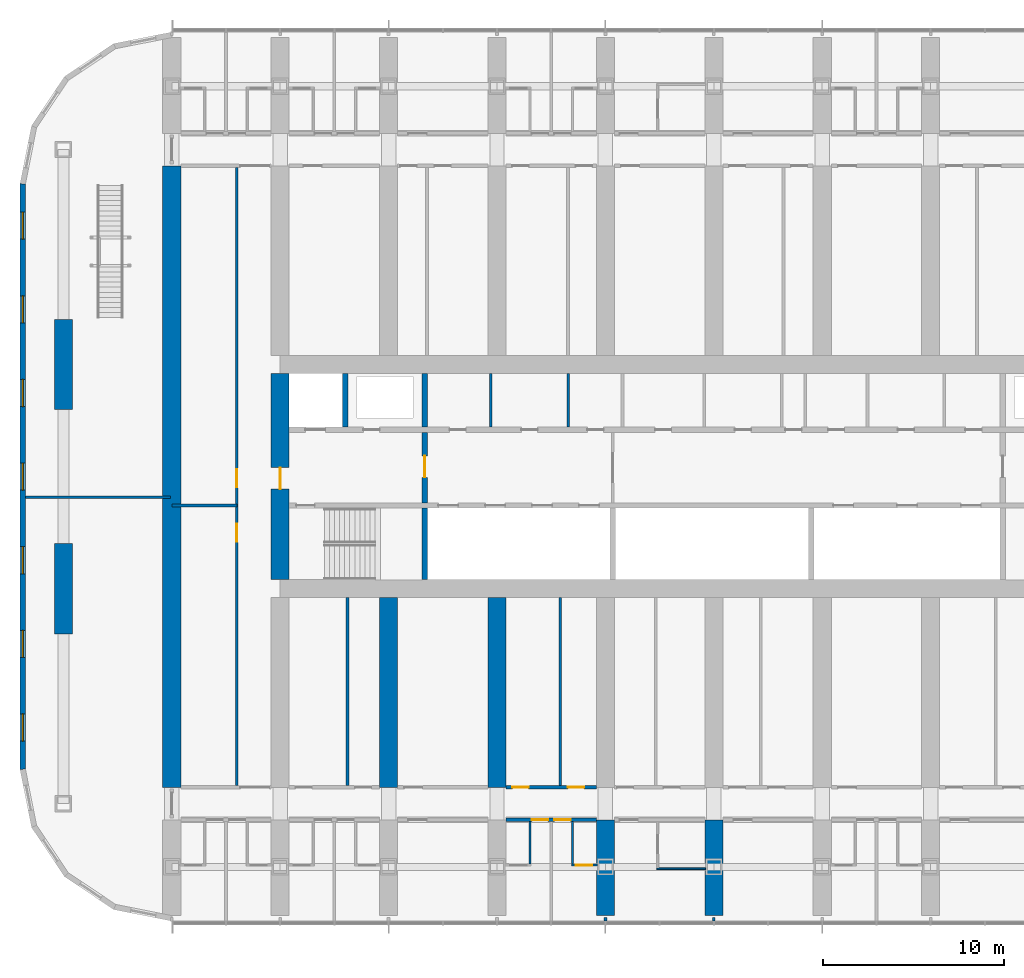
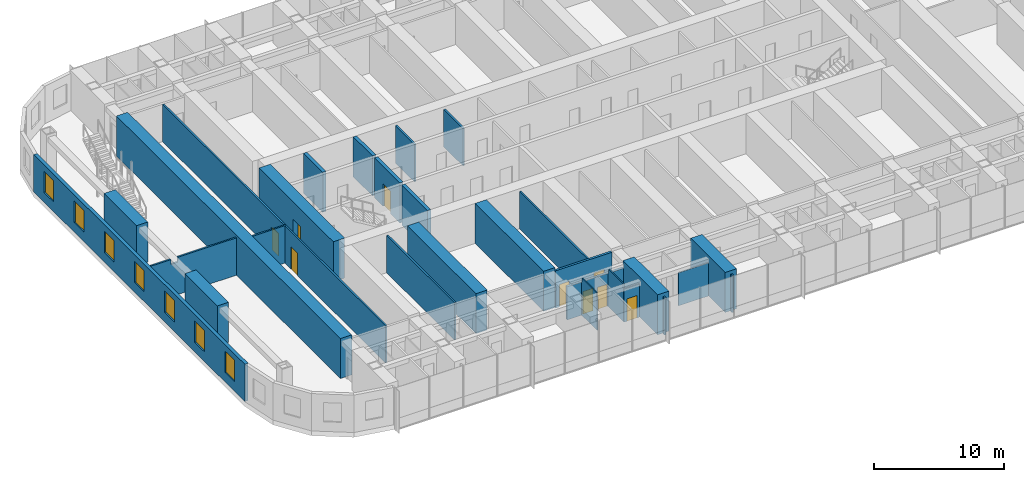
# One storey, part 13 of 28: 28 walls, 9 doors, 7 windows, 16 openings.
"""IFC4 building model written with IfcOpenShell, lengths in metres."""

from ifc_helpers import new_model, si_unit, direction, frame, frame_2d, origin, place, context, subcontext, project, spatial, polyline, rectangle, outline, extrude, material, layer, layer_set, type_object, element, fill, save


model = new_model("IFC4")

# Units and contexts
model_context = context("Model", 3, precision=1e-05, world=origin(), true_north=direction((0.0, 1.0)))
body_context = subcontext(model_context, "Body", "Model", "MODEL_VIEW")
ifc_project = project(units=[si_unit("LENGTHUNIT", "METRE"), si_unit("AREAUNIT", "SQUARE_METRE"), si_unit("VOLUMEUNIT", "CUBIC_METRE"), si_unit("PLANEANGLEUNIT", "RADIAN"), si_unit("MASSUNIT", "GRAM", prefix="KILO")], contexts=[model_context])

# Site, building, storey
site_placement = place(None, origin())
site = spatial("IfcSite", under=ifc_project, at=site_placement, CompositionType="ELEMENT")
building_placement = place(site_placement, origin())
building = spatial("IfcBuilding", under=site, at=building_placement, Name="Orbita Commons", CompositionType="ELEMENT")
storey_placement = place(building_placement, frame((0.0, 0.0, 23.949951171875)))
storey = spatial("IfcBuildingStorey", under=building, at=storey_placement, Name="L05", CompositionType="ELEMENT", Elevation=23.949951171875)

# Wall
ifc_material_1 = material(Name="Concrete C50/60", Category="concrete")
ifc_layer_1 = layer(ifc_material_1, 0.300048828125)
ifc_layer_set_1 = layer_set([ifc_layer_1], Name="Concrete C50/60")
wall_type_1 = type_object("IfcWallType", Name="Core inner wall 300 C50/60", PredefinedType="SHEAR", material=ifc_layer_set_1)
wall_1_placement = place(storey_placement, frame((26.0, 26.300048828125, 0.0), z_axis=(0.0, 0.0, 1.0), x_axis=(0.0, 1.0, 0.0)))
element("IfcWall", 1, at=wall_1_placement, inside=storey, type_object=wall_type_1, Name="Stair S1 wall L05", PredefinedType="SHEAR", context=body_context, shape_type="SweptSolid", body=[
    extrude(rectangle(XDim=3.949951171875, YDim=0.300048828125, at=frame_2d((1.97509765625, 0.0))), origin(), (0.0, 0.0, 1.0), 3.75),
])

# Wall, opening, door
wall_2_placement = place(storey_placement, frame((26.0, 30.550048828125, 0.0), z_axis=(0.0, 0.0, 1.0), x_axis=(0.0, 1.0, 0.0)))
wall_2 = element("IfcWall", 2, at=wall_2_placement, inside=storey, type_object=wall_type_1, Name="Firefighting lobby wall west L05", PredefinedType="SHEAR", context=body_context, shape_type="SweptSolid", body=[
    extrude(rectangle(XDim=3.89990234375, YDim=0.300048828125, at=frame_2d((1.949951171875, 0.0))), origin(), (0.0, 0.0, 1.0), 3.75),
])
opening_1_placement = place(wall_2_placement, frame((1.39990234375, 0.0, 0.0)))
opening_1 = element("IfcOpeningElement", 3, at=opening_1_placement, cuts=wall_2, Name="Opening D04", PredefinedType="OPENING", context=body_context, shape_type="SweptSolid", body=[
    extrude(rectangle(XDim=1.199951171875, YDim=2.10009765625, at=frame_2d((0.60009765625, 1.050048828125))), frame((0.0, 0.159912109375, 0.0), z_axis=(0.0, -1.0, 0.0), x_axis=(1.0, 0.0, 0.0)), (0.0, 0.0, 1.0), 0.320068359375),
])
ifc_material_2 = material(Name="Steel-faced fire door leaf", Category="steel")
door_type_1 = type_object("IfcDoorType", Name="Service door 20 min 1200x2100", OperationType="SINGLE_SWING_LEFT", PredefinedType="DOOR", material=ifc_material_2)
door_1_placement = place(opening_1_placement, origin())
door_1 = element("IfcDoor", 4, at=door_1_placement, inside=storey, type_object=door_type_1, Name="Lift lobby door west", OperationType="SINGLE_SWING_LEFT", OverallHeight=2.10009765625, OverallWidth=1.199951171875, PredefinedType="DOOR", context=body_context, shape_type="SweptSolid", body=[
    extrude(rectangle(XDim=1.199951171875, YDim=2.10009765625, at=frame_2d((0.60009765625, 1.050048828125))), frame((0.0, 0.02490234375, 0.0), z_axis=(0.0, -1.0, 0.0), x_axis=(1.0, 0.0, 0.0)), (0.0, 0.0, 1.0), 0.050048828125),
])
fill(opening_1, door_1)

# Walls
for number, where, z_axis, x_axis, name in (
    (5, (21.60009765625, 34.75, 0.0), (0.0, 0.0, 1.0), (0.0, 1.0, 0.0), "Firefighting lift FL1 shaft wall L05"),
    (6, (26.0, 34.75, 0.0), (0.0, 0.0, 1.0), (0.0, 1.0, 0.0), "Riser wall west L05"),
):
    element("IfcWall", number, at=place(storey_placement, frame(where, z_axis=z_axis, x_axis=x_axis)), inside=storey, type_object=wall_type_1, Name=name, PredefinedType="SHEAR", context=body_context, shape_type="SweptSolid", body=[
        extrude(rectangle(XDim=2.949951171875, YDim=0.300048828125, at=frame_2d((1.47509765625, 0.0))), origin(), (0.0, 0.0, 1.0), 3.75),
    ])
ifc_material_3 = material(Name="Concrete blockwork", Category="masonry")
ifc_layer_2 = layer(ifc_material_3, 0.14990234375)
ifc_layer_set_2 = layer_set([ifc_layer_2], Name="Concrete blockwork")
wall_type_2 = type_object("IfcWallType", Name="Core partition 150 blockwork", PredefinedType="SOLIDWALL", material=ifc_layer_set_2)
for number, where, z_axis, x_axis, name in (
    (7, (29.65087890625, 34.75, 0.0), (0.0, 0.0, 1.0), (0.0, 1.0, 0.0), "Core partition 150 blockwork L05"),
    (8, (33.9462890625, 34.75, 0.0), (0.0, 0.0, 1.0), (0.0, 1.0, 0.0), "Core partition 150 blockwork L05"),
):
    element("IfcWall", number, at=place(storey_placement, frame(where, z_axis=z_axis, x_axis=x_axis)), inside=storey, type_object=wall_type_2, Name=name, PredefinedType="SOLIDWALL", context=body_context, shape_type="SweptSolid", body=[
        extrude(rectangle(XDim=2.949951171875, YDim=0.14990234375, at=frame_2d((1.47509765625, 0.0))), origin(), (0.0, 0.0, 1.0), 3.5),
    ])

# Wall, opening, door
ifc_material_4 = material(Name="Concrete C50/60", Category="concrete")
ifc_layer_3 = layer(ifc_material_4, 1.0)
ifc_layer_set_3 = layer_set([ifc_layer_3], Name="Concrete C50/60")
wall_type_3 = type_object("IfcWallType", Name="Core wall 1000 C50/60", PredefinedType="SHEAR", material=ifc_layer_set_3)
wall_3_placement = place(storey_placement, frame((18.0, 26.300048828125, 0.0), z_axis=(0.0, 0.0, 1.0), x_axis=(0.0, 1.0, 0.0)))
wall_3 = element("IfcWall", 9, at=wall_3_placement, inside=storey, type_object=wall_type_3, Name="Core end wall west L05", PredefinedType="SHEAR", context=body_context, shape_type="SweptSolid", body=[
    extrude(rectangle(XDim=11.39990234375, YDim=1.0, at=frame_2d((5.699951171875, 0.0))), origin(), (0.0, 0.0, 1.0), 3.75),
])
opening_2_placement = place(wall_3_placement, frame((5.0, 0.0, 0.0)))
opening_2 = element("IfcOpeningElement", 10, at=opening_2_placement, cuts=wall_3, Name="Opening D01", PredefinedType="OPENING", context=body_context, shape_type="SweptSolid", body=[
    extrude(rectangle(XDim=1.199951171875, YDim=2.10009765625, at=frame_2d((0.60009765625, 1.050048828125))), frame((0.0, 0.510009765625, 0.0), z_axis=(0.0, -1.0, 0.0), x_axis=(1.0, 0.0, 0.0)), (0.0, 0.0, 1.0), 1.02001953125),
])
ifc_material_5 = material(Name="Steel-faced fire door leaf", Category="steel")
door_type_2 = type_object("IfcDoorType", Name="Fire door 90 min 1200x2100", OperationType="SINGLE_SWING_LEFT", PredefinedType="DOOR", material=ifc_material_5)
door_2_placement = place(opening_2_placement, origin())
door_2 = element("IfcDoor", 11, at=door_2_placement, inside=storey, type_object=door_type_2, Name="Firefighting lobby west door", OperationType="SINGLE_SWING_LEFT", OverallHeight=2.10009765625, OverallWidth=1.199951171875, PredefinedType="DOOR", context=body_context, shape_type="SweptSolid", body=[
    extrude(rectangle(XDim=1.199951171875, YDim=2.10009765625, at=frame_2d((0.60009765625, 1.050048828125))), frame((0.0, 0.02490234375, 0.0), z_axis=(0.0, -1.0, 0.0), x_axis=(1.0, 0.0, 0.0)), (0.0, 0.0, 1.0), 0.050048828125),
])
fill(opening_2, door_2)

# Wall, openings, doors
ifc_material_6 = material(Name="Concrete blockwork", Category="masonry")
ifc_layer_4 = layer(ifc_material_6, 0.199951171875)
ifc_layer_set_4 = layer_set([ifc_layer_4], Name="Concrete blockwork")
wall_type_4 = type_object("IfcWallType", Name="Corridor wall 200 blockwork", PredefinedType="SOLIDWALL", material=ifc_layer_set_4)
wall_4_placement = place(storey_placement, frame((30.5, 13.0, 0.0), z_axis=(0.0, 0.0, 1.0), x_axis=(1.0, 0.0, 0.0)))
wall_4 = element("IfcWall", 12, at=wall_4_placement, inside=storey, type_object=wall_type_4, Name="Corridor wall 200 blockwork L05", PredefinedType="SOLIDWALL", context=body_context, shape_type="SweptSolid", body=[
    extrude(outline(polyline([(0.0, 0.0), (5.0, 0.0), (5.0, 3.10009765625), (0.0, 3.10009765625), (0.0, 0.0)])), frame((0.0, 0.10009765625, 0.0), z_axis=(0.0, -1.0, 0.0), x_axis=(1.0, 0.0, 0.0)), (0.0, 0.0, 1.0), 0.199951171875),
])
opening_3_placement = place(wall_4_placement, frame((1.425048828125, 0.0, 0.0)))
opening_3 = element("IfcOpeningElement", 13, at=opening_3_placement, cuts=wall_4, Name="Opening D11", PredefinedType="OPENING", context=body_context, shape_type="SweptSolid", body=[
    extrude(rectangle(XDim=0.89990234375, YDim=2.10009765625, at=frame_2d((0.449951171875, 1.050048828125))), frame((0.0, 0.10986328125, 0.0), z_axis=(0.0, -1.0, 0.0), x_axis=(1.0, 0.0, 0.0)), (0.0, 0.0, 1.0), 0.219970703125),
])
opening_4_placement = place(wall_4_placement, frame((2.675048828125, 0.0, 0.0)))
opening_4 = element("IfcOpeningElement", 14, at=opening_4_placement, cuts=wall_4, Name="Opening D11", PredefinedType="OPENING", context=body_context, shape_type="SweptSolid", body=[
    extrude(rectangle(XDim=0.89990234375, YDim=2.10009765625, at=frame_2d((0.449951171875, 1.050048828125))), frame((0.0, 0.10986328125, 0.0), z_axis=(0.0, -1.0, 0.0), x_axis=(1.0, 0.0, 0.0)), (0.0, 0.0, 1.0), 0.219970703125),
])
ifc_material_7 = material(Name="Steel-faced fire door leaf", Category="steel")
door_type_3 = type_object("IfcDoorType", Name="Corridor door 20 min 900x2100", OperationType="SINGLE_SWING_LEFT", PredefinedType="DOOR", material=ifc_material_7)
door_3_placement = place(opening_3_placement, origin())
door_3 = element("IfcDoor", 15, at=door_3_placement, inside=storey, type_object=door_type_3, Name="House bedroom L05-S06 door", OperationType="SINGLE_SWING_LEFT", OverallHeight=2.10009765625, OverallWidth=0.89990234375, PredefinedType="DOOR", context=body_context, shape_type="SweptSolid", body=[
    extrude(rectangle(XDim=0.89990234375, YDim=2.10009765625, at=frame_2d((0.449951171875, 1.050048828125))), frame((0.0, 0.02490234375, 0.0), z_axis=(0.0, -1.0, 0.0), x_axis=(1.0, 0.0, 0.0)), (0.0, 0.0, 1.0), 0.050048828125),
])
fill(opening_3, door_3)
door_4_placement = place(opening_4_placement, origin())
door_4 = element("IfcDoor", 16, at=door_4_placement, inside=storey, type_object=door_type_3, Name="House bedroom L05-S07 door", OperationType="SINGLE_SWING_LEFT", OverallHeight=2.10009765625, OverallWidth=0.89990234375, PredefinedType="DOOR", context=body_context, shape_type="SweptSolid", body=[
    extrude(rectangle(XDim=0.89990234375, YDim=2.10009765625, at=frame_2d((0.449951171875, 1.050048828125))), frame((0.0, 0.02490234375, 0.0), z_axis=(0.0, -1.0, 0.0), x_axis=(1.0, 0.0, 0.0)), (0.0, 0.0, 1.0), 0.050048828125),
])
fill(opening_4, door_4)

ifc_material_8 = material(Name="Hollow concrete block 200", Category="concrete")
ifc_layer_5 = layer(ifc_material_8, 0.199951171875)
ifc_layer_set_5 = layer_set([ifc_layer_5], Name="Hollow concrete block 200")
wall_type_5 = type_object("IfcWallType", Name="Corridor wall 200 hollow concrete block", PredefinedType="SOLIDWALL", material=ifc_layer_set_5)
wall_5_placement = place(storey_placement, frame((30.5, 14.800048828125, 0.0), z_axis=(0.0, 0.0, 1.0), x_axis=(1.0, 0.0, 0.0)))
wall_5 = element("IfcWall", 17, at=wall_5_placement, inside=storey, type_object=wall_type_5, Name="Corridor wall 200 hollow concrete block L05", PredefinedType="SOLIDWALL", context=body_context, shape_type="SweptSolid", body=[
    extrude(rectangle(XDim=5.0, YDim=0.199951171875, at=frame_2d((2.5, 0.0))), origin(), (0.0, 0.0, 1.0), 3.5),
])
opening_5_placement = place(wall_5_placement, frame((0.35009765625, 0.0, 0.0)))
opening_5 = element("IfcOpeningElement", 18, at=opening_5_placement, cuts=wall_5, Name="Opening D11", PredefinedType="OPENING", context=body_context, shape_type="SweptSolid", body=[
    extrude(rectangle(XDim=0.89990234375, YDim=2.10009765625, at=frame_2d((0.449951171875, 1.050048828125))), frame((0.0, 0.10986328125, 0.0), z_axis=(0.0, -1.0, 0.0), x_axis=(1.0, 0.0, 0.0)), (0.0, 0.0, 1.0), 0.219970703125),
])
opening_6_placement = place(wall_5_placement, frame((3.425048828125, 0.0, 0.0)))
opening_6 = element("IfcOpeningElement", 19, at=opening_6_placement, cuts=wall_5, Name="Opening D11", PredefinedType="OPENING", context=body_context, shape_type="SweptSolid", body=[
    extrude(rectangle(XDim=0.89990234375, YDim=2.10009765625, at=frame_2d((0.449951171875, 1.050048828125))), frame((0.0, 0.10986328125, 0.0), z_axis=(0.0, -1.0, 0.0), x_axis=(1.0, 0.0, 0.0)), (0.0, 0.0, 1.0), 0.219970703125),
])
door_5_placement = place(opening_5_placement, origin())
door_5 = element("IfcDoor", 20, at=door_5_placement, inside=storey, type_object=door_type_3, Name="Water heater cupboard L05-BDS30n door", OperationType="SINGLE_SWING_LEFT", OverallHeight=2.10009765625, OverallWidth=0.89990234375, PredefinedType="DOOR", context=body_context, shape_type="SweptSolid", body=[
    extrude(rectangle(XDim=0.89990234375, YDim=2.10009765625, at=frame_2d((0.449951171875, 1.050048828125))), frame((0.0, 0.02490234375, 0.0), z_axis=(0.0, -1.0, 0.0), x_axis=(1.0, 0.0, 0.0)), (0.0, 0.0, 1.0), 0.050048828125),
])
fill(opening_5, door_5)
door_6_placement = place(opening_6_placement, origin())
door_6 = element("IfcDoor", 21, at=door_6_placement, inside=storey, type_object=door_type_3, Name="Games room L05-BDS30 door", OperationType="SINGLE_SWING_LEFT", OverallHeight=2.10009765625, OverallWidth=0.89990234375, PredefinedType="DOOR", context=body_context, shape_type="SweptSolid", body=[
    extrude(rectangle(XDim=0.89990234375, YDim=2.10009765625, at=frame_2d((0.449951171875, 1.050048828125))), frame((0.0, 0.02490234375, 0.0), z_axis=(0.0, -1.0, 0.0), x_axis=(1.0, 0.0, 0.0)), (0.0, 0.0, 1.0), 0.050048828125),
])
fill(opening_6, door_6)

# Walls
ifc_material_9 = material(Name="Concrete C50/60", Category="concrete")
ifc_layer_6 = layer(ifc_material_9, 1.0)
ifc_layer_set_6 = layer_set([ifc_layer_6], Name="Concrete C50/60")
wall_type_6 = type_object("IfcWallType", Name="Cross wall 1000 C50/60", PredefinedType="SHEAR", material=ifc_layer_set_6)
wall_6_placement = place(storey_placement, frame((12.0, 14.800048828125, 0.0), z_axis=(0.0, 0.0, 1.0), x_axis=(0.0, 1.0, 0.0)))
element("IfcWall", 22, at=wall_6_placement, inside=storey, type_object=wall_type_6, Name="Cross wall 3 inner L05", PredefinedType="SHEAR", context=body_context, shape_type="SweptSolid", body=[
    extrude(rectangle(XDim=34.39990234375, YDim=1.0, at=frame_2d((17.199951171875, 0.0))), origin(), (0.0, 0.0, 1.0), 3.75),
])
for number, where, z_axis, x_axis, name in (
    (23, (24.0, 14.800048828125, 0.0), (0.0, 0.0, 1.0), (0.0, 1.0, 0.0), "Cross wall 5 south inner L05"),
    (24, (30.0, 14.800048828125, 0.0), (0.0, 0.0, 1.0), (0.0, 1.0, 0.0), "Cross wall 6 south inner L05"),
):
    element("IfcWall", number, at=place(storey_placement, frame(where, z_axis=z_axis, x_axis=x_axis)), inside=storey, type_object=wall_type_6, Name=name, PredefinedType="SHEAR", context=body_context, shape_type="SweptSolid", body=[
        extrude(rectangle(XDim=10.5, YDim=1.0, at=frame_2d((5.25, 0.0))), origin(), (0.0, 0.0, 1.0), 3.75),
    ])
for number, where, z_axis, x_axis, name in (
    (25, (36.0, 7.699951171875, 0.0), (0.0, 0.0, 1.0), (0.0, 1.0, 0.0), "Cross wall 7 south outer L05"),
    (26, (42.0, 7.699951171875, 0.0), (0.0, 0.0, 1.0), (0.0, 1.0, 0.0), "Cross wall 8 south outer L05"),
):
    element("IfcWall", number, at=place(storey_placement, frame(where, z_axis=z_axis, x_axis=x_axis)), inside=storey, type_object=wall_type_6, Name=name, PredefinedType="SHEAR", context=body_context, shape_type="SweptSolid", body=[
        extrude(rectangle(XDim=5.300048828125, YDim=1.0, at=frame_2d((2.64990234375, 0.0))), origin(), (0.0, 0.0, 1.0), 3.75),
    ])
ifc_material_10 = material(Name="Moisture-resistant plasterboard on steel studs", Category="steel")
ifc_layer_7 = layer(ifc_material_10, 0.10009765625)
ifc_layer_set_7 = layer_set([ifc_layer_7], Name="Moisture-resistant plasterboard on steel studs")
wall_type_7 = type_object("IfcWallType", Name="En-suite partition 100", PredefinedType="PARTITIONING", material=ifc_layer_set_7)
wall_7_placement = place(storey_placement, frame((31.824951171875, 10.550048828125, 0.0), z_axis=(0.0, 0.0, 1.0), x_axis=(0.0, 1.0, 0.0)))
element("IfcWall", 27, at=wall_7_placement, inside=storey, type_object=wall_type_7, Name="En-suite partition 100 L05", PredefinedType="PARTITIONING", context=body_context, shape_type="SweptSolid", body=[
    extrude(outline(polyline([(0.0, 0.0), (2.349853515625, 0.0), (2.35009765625, 3.10009765625), (2.302001953125, 3.10009765625), (2.300048828125, 3.5), (0.052001953125, 3.5), (0.050048828125, 3.10009765625), (0.0, 3.10009765625), (0.0, 0.0)])), frame((0.0, 0.050048828125, 0.0), z_axis=(0.0, -1.0, 0.0), x_axis=(1.0, 0.0, 0.0)), (0.0, 0.0, 1.0), 0.10009765625),
])

# Wall, opening, door
wall_8_placement = place(storey_placement, frame((35.550048828125, 10.5, 0.0), z_axis=(0.0, 0.0, 1.0), x_axis=(-1.0, 0.0, 0.0)))
wall_8 = element("IfcWall", 28, at=wall_8_placement, inside=storey, type_object=wall_type_7, Name="En-suite partition 100 L05", PredefinedType="PARTITIONING", context=body_context, shape_type="SweptSolid", body=[
    extrude(outline(polyline([(0.0, 0.0), (1.425048828125, 0.0), (1.425048828125, 3.10009765625), (0.0, 3.10009765625), (0.0, 0.0)])), frame((0.0, 0.050048828125, 0.0), z_axis=(0.0, -1.0, 0.0), x_axis=(1.0, 0.0, 0.0)), (0.0, 0.0, 1.0), 0.10009765625),
])
opening_7_placement = place(wall_8_placement, frame((0.28759765625, 0.0, 0.0)))
opening_7 = element("IfcOpeningElement", 29, at=opening_7_placement, cuts=wall_8, Name="Opening D09", PredefinedType="OPENING", context=body_context, shape_type="SweptSolid", body=[
    extrude(rectangle(XDim=0.89990234375, YDim=2.10009765625, at=frame_2d((0.449951171875, 1.050048828125))), frame((0.0, 0.06005859375, 0.0), z_axis=(0.0, -1.0, 0.0), x_axis=(1.0, 0.0, 0.0)), (0.0, 0.0, 1.0), 0.1201171875),
])
ifc_material_11 = material(Name="Laminated timber door leaf", Category="wood")
door_type_4 = type_object("IfcDoorType", Name="En-suite door 900x2100", OperationType="SINGLE_SWING_RIGHT", PredefinedType="DOOR", material=ifc_material_11)
door_7_placement = place(opening_7_placement, origin())
door_7 = element("IfcDoor", 30, at=door_7_placement, inside=storey, type_object=door_type_4, Name="En-suite L05-S07 door", OperationType="SINGLE_SWING_RIGHT", OverallHeight=2.10009765625, OverallWidth=0.89990234375, PredefinedType="DOOR", context=body_context, shape_type="SweptSolid", body=[
    extrude(rectangle(XDim=0.89990234375, YDim=2.10009765625, at=frame_2d((0.449951171875, 1.050048828125))), frame((0.0, 0.02490234375, 0.0), z_axis=(0.0, -1.0, 0.0), x_axis=(1.0, 0.0, 0.0)), (0.0, 0.0, 1.0), 0.050048828125),
])
fill(opening_7, door_7)

# Walls
wall_9_placement = place(storey_placement, frame((34.175048828125, 10.550048828125, 0.0), z_axis=(0.0, 0.0, 1.0), x_axis=(0.0, 1.0, 0.0)))
element("IfcWall", 31, at=wall_9_placement, inside=storey, type_object=wall_type_7, Name="En-suite partition 100 L05", PredefinedType="PARTITIONING", context=body_context, shape_type="SweptSolid", body=[
    extrude(outline(polyline([(0.0, 0.0), (2.349853515625, 0.0), (2.35009765625, 3.10009765625), (2.302001953125, 3.10009765625), (2.300048828125, 3.5), (0.052001953125, 3.5), (0.050048828125, 3.10009765625), (0.0, 3.10009765625), (0.0, 0.0)])), frame((0.0, 0.050048828125, 0.0), z_axis=(0.0, -1.0, 0.0), x_axis=(1.0, 0.0, 0.0)), (0.0, 0.0, 1.0), 0.10009765625),
])
wall_10_placement = place(storey_placement, frame((38.85009765625, 10.300048828125, 0.0), z_axis=(0.0, 0.0, 1.0), x_axis=(1.0, 0.0, 0.0)))
element("IfcWall", 32, at=wall_10_placement, inside=storey, type_object=wall_type_7, Name="En-suite partition 100 L05", PredefinedType="PARTITIONING", context=body_context, shape_type="SweptSolid", body=[
    extrude(outline(polyline([(0.0, 0.0), (2.699951171875, 0.0), (2.699951171875, 3.10009765625), (0.0, 3.10009765625), (0.0, 0.0)])), frame((0.0, 0.050048828125, 0.0), z_axis=(0.0, -1.0, 0.0), x_axis=(1.0, 0.0, 0.0)), (0.0, 0.0, 1.0), 0.10009765625),
])
ifc_material_12 = material(Name="Concrete C50/60", Category="concrete")
ifc_layer_8 = layer(ifc_material_12, 1.0)
ifc_layer_set_8 = layer_set([ifc_layer_8], Name="Concrete C50/60")
wall_type_8 = type_object("IfcWallType", Name="End pier 1000x5000 C50/60", PredefinedType="SHEAR", material=ifc_layer_set_8)
for number, where, z_axis, x_axis, name in (
    (33, (6.0, 23.300048828125, 0.0), (0.0, 0.0, 1.0), (0.0, 1.0, 0.0), "End pier 2/C L05"),
    (34, (6.0, 35.699951171875, 0.0), (0.0, 0.0, 1.0), (0.0, 1.0, 0.0), "End pier 2/D L05"),
):
    element("IfcWall", number, at=place(storey_placement, frame(where, z_axis=z_axis, x_axis=x_axis)), inside=storey, type_object=wall_type_8, Name=name, PredefinedType="SHEAR", context=body_context, shape_type="SweptSolid", body=[
        extrude(rectangle(XDim=5.0, YDim=1.0, at=frame_2d((2.5, 0.0))), origin(), (0.0, 0.0, 1.0), 3.75),
    ])
ifc_material_13 = material(Name="Gypsum plasterboard on steel studs", Category="steel")
ifc_layer_9 = layer(ifc_material_13, 0.14990234375)
ifc_layer_set_9 = layer_set([ifc_layer_9], Name="Gypsum plasterboard on steel studs")
wall_type_9 = type_object("IfcWallType", Name="Partition 150 plasterboard", PredefinedType="PARTITIONING", material=ifc_layer_set_9)
for number, where, z_axis, x_axis, name in (
    (35, (21.72509765625, 14.89990234375, 0.0), (0.0, 0.0, 1.0), (0.0, 1.0, 0.0), "Partition 150 plasterboard L05"),
    (36, (33.5, 14.89990234375, 0.0), (0.0, 0.0, 1.0), (0.0, 1.0, 0.0), "Partition 150 plasterboard L05"),
):
    element("IfcWall", number, at=place(storey_placement, frame(where, z_axis=z_axis, x_axis=x_axis)), inside=storey, type_object=wall_type_9, Name=name, PredefinedType="PARTITIONING", context=body_context, shape_type="SweptSolid", body=[
        extrude(rectangle(XDim=10.400146484375, YDim=0.14990234375, at=frame_2d((5.2001953125, 0.0))), origin(), (0.0, 0.0, 1.0), 3.5),
    ])

# Wall, openings, doors
wall_11_placement = place(storey_placement, frame((15.60009765625, 14.89990234375, 0.0), z_axis=(0.0, 0.0, 1.0), x_axis=(0.0, 1.0, 0.0)))
wall_11 = element("IfcWall", 37, at=wall_11_placement, inside=storey, type_object=wall_type_9, Name="Partition 150 plasterboard L05", PredefinedType="PARTITIONING", context=body_context, shape_type="SweptSolid", body=[
    extrude(rectangle(XDim=34.2001953125, YDim=0.14990234375, at=frame_2d((17.10009765625, 0.0))), origin(), (0.0, 0.0, 1.0), 3.5),
])
opening_8_placement = place(wall_11_placement, frame((13.5, 0.0, 0.0)))
opening_8 = element("IfcOpeningElement", 38, at=opening_8_placement, cuts=wall_11, Name="Opening D06", PredefinedType="OPENING", context=body_context, shape_type="SweptSolid", body=[
    extrude(rectangle(XDim=1.0, YDim=2.10009765625, at=frame_2d((0.5, 1.050048828125))), frame((0.0, 0.0849609375, 0.0), z_axis=(0.0, -1.0, 0.0), x_axis=(1.0, 0.0, 0.0)), (0.0, 0.0, 1.0), 0.169921875),
])
opening_9_placement = place(wall_11_placement, frame((16.5, 0.0, 0.0)))
opening_9 = element("IfcOpeningElement", 39, at=opening_9_placement, cuts=wall_11, Name="Opening D06", PredefinedType="OPENING", context=body_context, shape_type="SweptSolid", body=[
    extrude(rectangle(XDim=1.0, YDim=2.10009765625, at=frame_2d((0.5, 1.050048828125))), frame((0.0, 0.0849609375, 0.0), z_axis=(0.0, -1.0, 0.0), x_axis=(1.0, 0.0, 0.0)), (0.0, 0.0, 1.0), 0.169921875),
])
ifc_material_14 = material(Name="Steel-faced fire door leaf", Category="steel")
door_type_5 = type_object("IfcDoorType", Name="Corridor door 20 min 1000x2100", OperationType="SINGLE_SWING_LEFT", PredefinedType="DOOR", material=ifc_material_14)
door_8_placement = place(opening_8_placement, origin())
door_8 = element("IfcDoor", 40, at=door_8_placement, inside=storey, type_object=door_type_5, Name="Quiet room door", OperationType="SINGLE_SWING_LEFT", OverallHeight=2.10009765625, OverallWidth=1.0, PredefinedType="DOOR", context=body_context, shape_type="SweptSolid", body=[
    extrude(rectangle(XDim=1.0, YDim=2.10009765625, at=frame_2d((0.5, 1.050048828125))), frame((0.0, 0.02490234375, 0.0), z_axis=(0.0, -1.0, 0.0), x_axis=(1.0, 0.0, 0.0)), (0.0, 0.0, 1.0), 0.050048828125),
])
fill(opening_8, door_8)
door_9_placement = place(opening_9_placement, origin())
door_9 = element("IfcDoor", 41, at=door_9_placement, inside=storey, type_object=door_type_5, Name="Prayer room door", OperationType="SINGLE_SWING_LEFT", OverallHeight=2.10009765625, OverallWidth=1.0, PredefinedType="DOOR", context=body_context, shape_type="SweptSolid", body=[
    extrude(rectangle(XDim=1.0, YDim=2.10009765625, at=frame_2d((0.5, 1.050048828125))), frame((0.0, 0.02490234375, 0.0), z_axis=(0.0, -1.0, 0.0), x_axis=(1.0, 0.0, 0.0)), (0.0, 0.0, 1.0), 0.050048828125),
])
fill(opening_9, door_9)

# Walls
wall_12_placement = place(storey_placement, frame((12.0, 30.39990234375, 0.0), z_axis=(0.0, 0.0, 1.0), x_axis=(1.0, 0.0, 0.0)))
element("IfcWall", 42, at=wall_12_placement, inside=storey, type_object=wall_type_9, Name="Partition 150 plasterboard L05", PredefinedType="PARTITIONING", context=body_context, shape_type="SweptSolid", body=[
    extrude(rectangle(XDim=3.60009765625, YDim=0.14990234375, at=frame_2d((1.800048828125, 0.0))), origin(), (0.0, 0.0, 1.0), 3.5),
])
wall_13_placement = place(storey_placement, frame((3.905029296875, 30.85009765625, 0.0), z_axis=(0.0, 0.0, 1.0), x_axis=(1.0, 0.0, 0.0)))
element("IfcWall", 43, at=wall_13_placement, inside=storey, type_object=wall_type_9, Name="Partition 150 plasterboard L05", PredefinedType="PARTITIONING", context=body_context, shape_type="SweptSolid", body=[
    extrude(outline(polyline([(0.0, 0.0), (8.02001953125, 0.0), (8.02001953125, 3.5), (2.39697265625, 3.5), (2.39501953125, 3.050048828125), (1.797119140625, 3.050048828125), (1.794921875, 3.5), (0.0, 3.5), (0.0, 0.0)])), frame((0.0, 0.074951171875, 0.0), z_axis=(0.0, -1.0, 0.0), x_axis=(1.0, 0.0, 0.0)), (0.0, 0.0, 1.0), 0.14990234375),
])
for number, where, z_axis, x_axis, name in (
    (44, (36.0, 7.60009765625, 0.0), (0.0, 0.0, 1.0), (0.0, -1.0, 0.0), "Partition 150 plasterboard L05"),
    (45, (42.0, 7.60009765625, 0.0), (0.0, 0.0, 1.0), (0.0, -1.0, 0.0), "Partition 150 plasterboard L05"),
):
    element("IfcWall", number, at=place(storey_placement, frame(where, z_axis=z_axis, x_axis=x_axis)), inside=storey, type_object=wall_type_9, Name=name, PredefinedType="PARTITIONING", context=body_context, shape_type="SweptSolid", body=[
        extrude(rectangle(XDim=0.190185546875, YDim=0.14990234375, at=frame_2d((0.09521484375, 0.0))), origin(), (0.0, 0.0, 1.0), 3.5),
    ])

# Wall, openings, windows
ifc_material_15 = material(Name="Precast concrete C40/50, white board-marked finish", Category="concrete")
ifc_layer_10 = layer(ifc_material_15, 0.300048828125)
ifc_layer_set_10 = layer_set([ifc_layer_10], Name="Precast concrete C40/50, white board-marked finish")
wall_type_10 = type_object("IfcWallType", Name="Precast concrete end shield 300", PredefinedType="SOLIDWALL", material=ifc_layer_set_10)
wall_14_placement = place(storey_placement, frame((3.75, 48.199951171875, 0.0), z_axis=(0.0, 0.0, 1.0), x_axis=(0.0, -1.0, 0.0)))
wall_14 = element("IfcWall", 46, at=wall_14_placement, inside=storey, type_object=wall_type_10, Name="End shield W L05", PredefinedType="SOLIDWALL", context=body_context, shape_type="SweptSolid", body=[
    extrude(outline(polyline([(-0.014892578125, -0.14990234375), (32.414794921875, -0.14990234375), (32.385009765625, 0.14990234375), (0.014892578125, 0.14990234375), (-0.014892578125, -0.14990234375)])), origin(), (0.0, 0.0, 1.0), 3.5),
])
opening_10_placement = place(wall_14_placement, frame((1.564208984375, 0.0, 0.89990234375)))
opening_10 = element("IfcOpeningElement", 47, at=opening_10_placement, cuts=wall_14, Name="Opening W01", PredefinedType="OPENING", context=body_context, shape_type="SweptSolid", body=[
    extrude(rectangle(XDim=1.5, YDim=2.0, at=frame_2d((0.75, 1.0))), frame((0.0, 0.159912109375, 0.0), z_axis=(0.0, -1.0, 0.0), x_axis=(1.0, 0.0, 0.0)), (0.0, 0.0, 1.0), 0.320068359375),
])
opening_11_placement = place(wall_14_placement, frame((6.19287109375, 0.0, 0.89990234375)))
opening_11 = element("IfcOpeningElement", 48, at=opening_11_placement, cuts=wall_14, Name="Opening W01", PredefinedType="OPENING", context=body_context, shape_type="SweptSolid", body=[
    extrude(rectangle(XDim=1.5, YDim=2.0, at=frame_2d((0.75, 1.0))), frame((0.0, 0.159912109375, 0.0), z_axis=(0.0, -1.0, 0.0), x_axis=(1.0, 0.0, 0.0)), (0.0, 0.0, 1.0), 0.320068359375),
])
opening_12_placement = place(wall_14_placement, frame((10.821533203125, 0.0, 0.89990234375)))
opening_12 = element("IfcOpeningElement", 49, at=opening_12_placement, cuts=wall_14, Name="Opening W01", PredefinedType="OPENING", context=body_context, shape_type="SweptSolid", body=[
    extrude(rectangle(XDim=1.5, YDim=2.0, at=frame_2d((0.75, 1.0))), frame((0.0, 0.159912109375, 0.0), z_axis=(0.0, -1.0, 0.0), x_axis=(1.0, 0.0, 0.0)), (0.0, 0.0, 1.0), 0.320068359375),
])
opening_13_placement = place(wall_14_placement, frame((15.449951171875, 0.0, 0.89990234375)))
opening_13 = element("IfcOpeningElement", 50, at=opening_13_placement, cuts=wall_14, Name="Opening W01", PredefinedType="OPENING", context=body_context, shape_type="SweptSolid", body=[
    extrude(rectangle(XDim=1.5, YDim=2.0, at=frame_2d((0.75, 1.0))), frame((0.0, 0.159912109375, 0.0), z_axis=(0.0, -1.0, 0.0), x_axis=(1.0, 0.0, 0.0)), (0.0, 0.0, 1.0), 0.320068359375),
])
opening_14_placement = place(wall_14_placement, frame((20.07861328125, 0.0, 0.89990234375)))
opening_14 = element("IfcOpeningElement", 51, at=opening_14_placement, cuts=wall_14, Name="Opening W01", PredefinedType="OPENING", context=body_context, shape_type="SweptSolid", body=[
    extrude(rectangle(XDim=1.5, YDim=2.0, at=frame_2d((0.75, 1.0))), frame((0.0, 0.159912109375, 0.0), z_axis=(0.0, -1.0, 0.0), x_axis=(1.0, 0.0, 0.0)), (0.0, 0.0, 1.0), 0.320068359375),
])
opening_15_placement = place(wall_14_placement, frame((24.70703125, 0.0, 0.89990234375)))
opening_15 = element("IfcOpeningElement", 52, at=opening_15_placement, cuts=wall_14, Name="Opening W01", PredefinedType="OPENING", context=body_context, shape_type="SweptSolid", body=[
    extrude(rectangle(XDim=1.5, YDim=2.0, at=frame_2d((0.75, 1.0))), frame((0.0, 0.159912109375, 0.0), z_axis=(0.0, -1.0, 0.0), x_axis=(1.0, 0.0, 0.0)), (0.0, 0.0, 1.0), 0.320068359375),
])
opening_16_placement = place(wall_14_placement, frame((29.335693359375, 0.0, 0.89990234375)))
opening_16 = element("IfcOpeningElement", 53, at=opening_16_placement, cuts=wall_14, Name="Opening W01", PredefinedType="OPENING", context=body_context, shape_type="SweptSolid", body=[
    extrude(rectangle(XDim=1.5, YDim=2.0, at=frame_2d((0.75, 1.0))), frame((0.0, 0.159912109375, 0.0), z_axis=(0.0, -1.0, 0.0), x_axis=(1.0, 0.0, 0.0)), (0.0, 0.0, 1.0), 0.320068359375),
])
ifc_material_16 = material(Name="Aluminium frame, clear double glazing", Category="aluminium")
window_type = type_object("IfcWindowType", Name="Deep-set window 1500x2000", PartitioningType="SINGLE_PANEL", PredefinedType="WINDOW", material=ifc_material_16)
window_1_placement = place(opening_10_placement, origin())
window_1 = element("IfcWindow", 54, at=window_1_placement, inside=storey, type_object=window_type, Name="Window L05-W 1", OverallHeight=2.0, OverallWidth=1.5, PartitioningType="SINGLE_PANEL", PredefinedType="WINDOW", context=body_context, shape_type="SweptSolid", body=[
    extrude(rectangle(XDim=1.5, YDim=2.0, at=frame_2d((0.75, 1.0))), frame((0.0, 0.030029296875, 0.0), z_axis=(0.0, -1.0, 0.0), x_axis=(1.0, 0.0, 0.0)), (0.0, 0.0, 1.0), 0.06005859375),
])
fill(opening_10, window_1)
window_2_placement = place(opening_11_placement, origin())
window_2 = element("IfcWindow", 55, at=window_2_placement, inside=storey, type_object=window_type, Name="Window L05-W 2", OverallHeight=2.0, OverallWidth=1.5, PartitioningType="SINGLE_PANEL", PredefinedType="WINDOW", context=body_context, shape_type="SweptSolid", body=[
    extrude(rectangle(XDim=1.5, YDim=2.0, at=frame_2d((0.75, 1.0))), frame((0.0, 0.030029296875, 0.0), z_axis=(0.0, -1.0, 0.0), x_axis=(1.0, 0.0, 0.0)), (0.0, 0.0, 1.0), 0.06005859375),
])
fill(opening_11, window_2)
window_3_placement = place(opening_12_placement, origin())
window_3 = element("IfcWindow", 56, at=window_3_placement, inside=storey, type_object=window_type, Name="Window L05-W 3", OverallHeight=2.0, OverallWidth=1.5, PartitioningType="SINGLE_PANEL", PredefinedType="WINDOW", context=body_context, shape_type="SweptSolid", body=[
    extrude(rectangle(XDim=1.5, YDim=2.0, at=frame_2d((0.75, 1.0))), frame((0.0, 0.030029296875, 0.0), z_axis=(0.0, -1.0, 0.0), x_axis=(1.0, 0.0, 0.0)), (0.0, 0.0, 1.0), 0.06005859375),
])
fill(opening_12, window_3)
window_4_placement = place(opening_13_placement, origin())
window_4 = element("IfcWindow", 57, at=window_4_placement, inside=storey, type_object=window_type, Name="Window L05-W 4", OverallHeight=2.0, OverallWidth=1.5, PartitioningType="SINGLE_PANEL", PredefinedType="WINDOW", context=body_context, shape_type="SweptSolid", body=[
    extrude(rectangle(XDim=1.5, YDim=2.0, at=frame_2d((0.75, 1.0))), frame((0.0, 0.030029296875, 0.0), z_axis=(0.0, -1.0, 0.0), x_axis=(1.0, 0.0, 0.0)), (0.0, 0.0, 1.0), 0.06005859375),
])
fill(opening_13, window_4)
window_5_placement = place(opening_14_placement, origin())
window_5 = element("IfcWindow", 58, at=window_5_placement, inside=storey, type_object=window_type, Name="Window L05-W 5", OverallHeight=2.0, OverallWidth=1.5, PartitioningType="SINGLE_PANEL", PredefinedType="WINDOW", context=body_context, shape_type="SweptSolid", body=[
    extrude(rectangle(XDim=1.5, YDim=2.0, at=frame_2d((0.75, 1.0))), frame((0.0, 0.030029296875, 0.0), z_axis=(0.0, -1.0, 0.0), x_axis=(1.0, 0.0, 0.0)), (0.0, 0.0, 1.0), 0.06005859375),
])
fill(opening_14, window_5)
window_6_placement = place(opening_15_placement, origin())
window_6 = element("IfcWindow", 59, at=window_6_placement, inside=storey, type_object=window_type, Name="Window L05-W 6", OverallHeight=2.0, OverallWidth=1.5, PartitioningType="SINGLE_PANEL", PredefinedType="WINDOW", context=body_context, shape_type="SweptSolid", body=[
    extrude(rectangle(XDim=1.5, YDim=2.0, at=frame_2d((0.75, 1.0))), frame((0.0, 0.030029296875, 0.0), z_axis=(0.0, -1.0, 0.0), x_axis=(1.0, 0.0, 0.0)), (0.0, 0.0, 1.0), 0.06005859375),
])
fill(opening_15, window_6)
window_7_placement = place(opening_16_placement, origin())
window_7 = element("IfcWindow", 60, at=window_7_placement, inside=storey, type_object=window_type, Name="Window L05-W 7", OverallHeight=2.0, OverallWidth=1.5, PartitioningType="SINGLE_PANEL", PredefinedType="WINDOW", context=body_context, shape_type="SweptSolid", body=[
    extrude(rectangle(XDim=1.5, YDim=2.0, at=frame_2d((0.75, 1.0))), frame((0.0, 0.030029296875, 0.0), z_axis=(0.0, -1.0, 0.0), x_axis=(1.0, 0.0, 0.0)), (0.0, 0.0, 1.0), 0.06005859375),
])
fill(opening_16, window_7)

save(model, "model.ifc")
